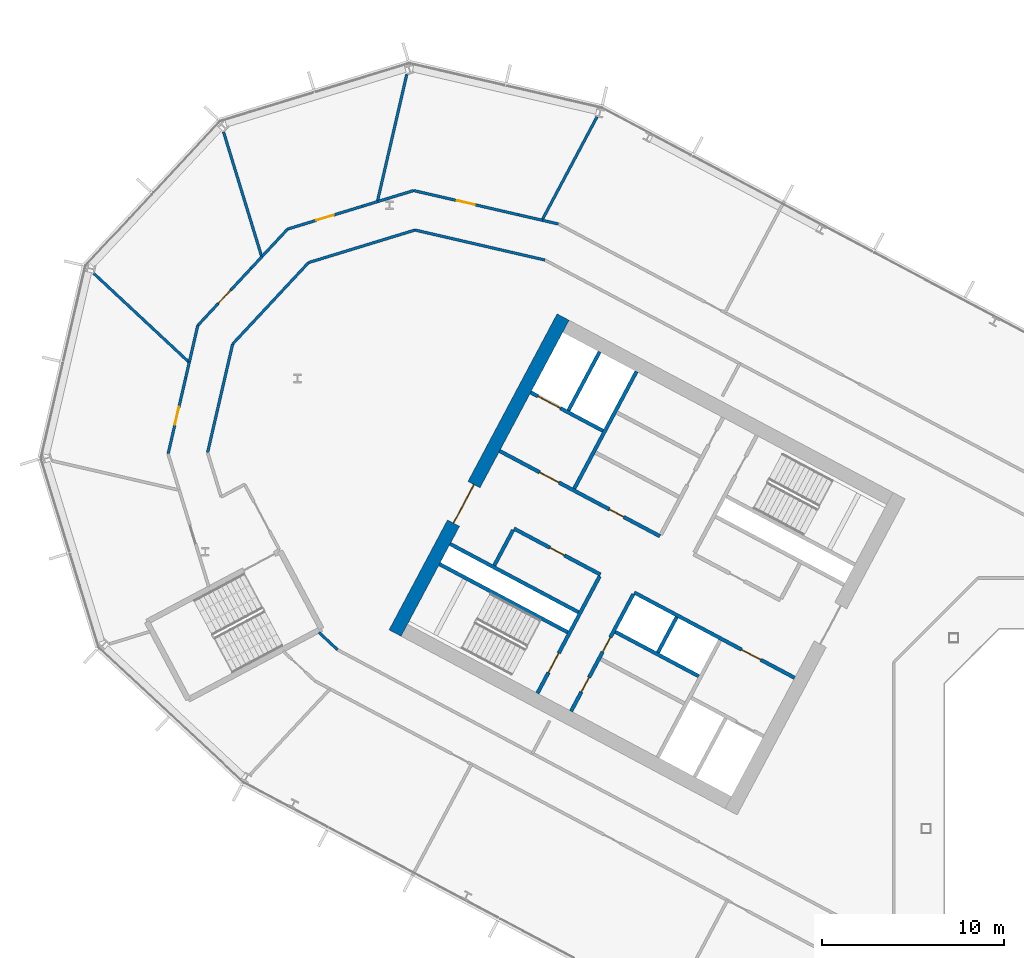
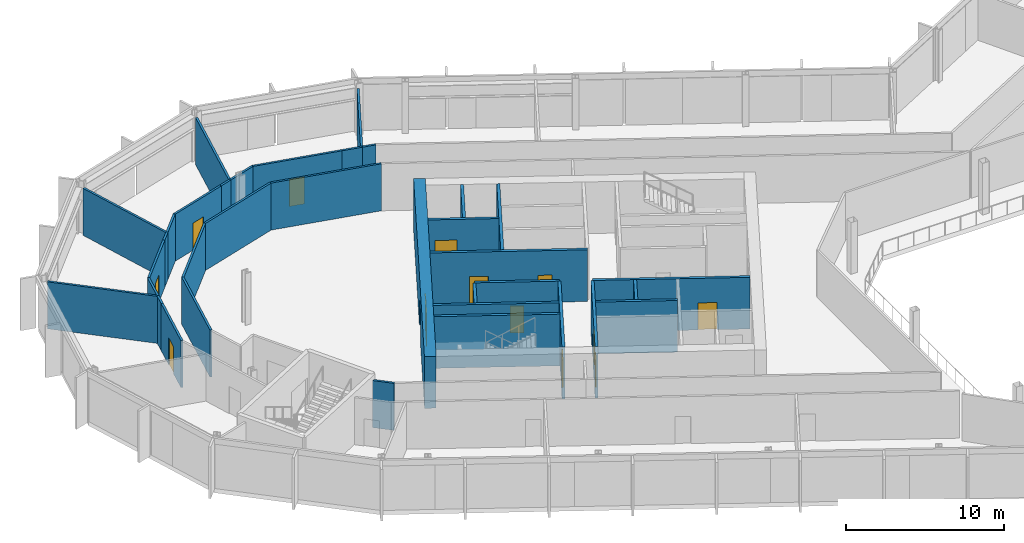
# One storey, part 14 of 28: 35 walls, 13 doors, 13 openings.
"""IFC4 building model written with IfcOpenShell, lengths in metres."""

from ifc_helpers import new_model, si_unit, direction, frame, frame_2d, origin, place, context, subcontext, project, spatial, rectangle, extrude, material, layer, layer_set, type_object, element, fill, save


model = new_model("IFC4")

# Units and contexts
model_context = context("Model", 3, precision=1e-05, world=origin(), true_north=direction((0.0, 1.0)))
body_context = subcontext(model_context, "Body", "Model", "MODEL_VIEW")
ifc_project = project(units=[si_unit("LENGTHUNIT", "METRE"), si_unit("AREAUNIT", "SQUARE_METRE"), si_unit("VOLUMEUNIT", "CUBIC_METRE"), si_unit("PLANEANGLEUNIT", "RADIAN"), si_unit("MASSUNIT", "GRAM", prefix="KILO")], contexts=[model_context])

# Site, building, storey
site_placement = place(None, origin())
site = spatial("IfcSite", under=ifc_project, at=site_placement, CompositionType="ELEMENT")
building_placement = place(site_placement, origin())
building = spatial("IfcBuilding", under=site, at=building_placement, Name="Cormorant Relay Tower", CompositionType="ELEMENT")
storey_placement = place(building_placement, frame((0.0, 0.0, 134.199951171875)))
storey = spatial("IfcBuildingStorey", under=building, at=storey_placement, Name="L27", CompositionType="ELEMENT", Elevation=134.199951171875)

# Wall
ifc_material_1 = material(Name="Concrete 40 MPa", Category="concrete")
ifc_layer_1 = layer(ifc_material_1, 0.199951171875)
ifc_layer_set_1 = layer_set([ifc_layer_1], Name="Core internal wall 200")
wall_type_1 = type_object("IfcWallType", Name="Core internal wall 200", PredefinedType="SOLIDWALL", material=ifc_layer_set_1)
wall_1_placement = place(storey_placement, frame((-25.744140625, 11.64990234375, 0.0), z_axis=(0.0, 0.0, 1.0), x_axis=(-0.469487830541, -0.882938942948, 0.0)))
element("IfcWall", 1, at=wall_1_placement, inside=storey, type_object=wall_type_1, Name="L27 core A shaft and room wall", PredefinedType="SOLIDWALL", context=body_context, shape_type="SweptSolid", body=[
    extrude(rectangle(XDim=2.2001953125, YDim=0.199951171875, at=frame_2d((1.10009765625, 0.0))), origin(), (0.0, 0.0, 1.0), 4.0),
])

# Wall, openings, doors
ifc_material_2 = material(Name="Concrete 50 MPa", Category="concrete")
ifc_layer_2 = layer(ifc_material_2, 0.199951171875)
ifc_layer_set_2 = layer_set([ifc_layer_2], Name="Core shaft wall 200")
wall_type_2 = type_object("IfcWallType", Name="Core shaft wall 200", PredefinedType="SHEAR", material=ifc_layer_set_2)
wall_2_placement = place(storey_placement, frame((-28.128173828125, 12.91748046875, 0.0), z_axis=(0.0, 0.0, 1.0), x_axis=(-0.469454336211, -0.882956752176, 0.0)))
wall_2 = element("IfcWall", 2, at=wall_2_placement, inside=storey, type_object=wall_type_2, Name="L27 core A shaft wall", PredefinedType="SHEAR", context=body_context, shape_type="SweptSolid", body=[
    extrude(rectangle(XDim=7.300048828125, YDim=0.199951171875, at=frame_2d((3.64990234375, 0.0))), origin(), (0.0, 0.0, 1.0), 4.0),
])
opening_1_placement = place(wall_2_placement, frame((2.699951171875, 0.0, 0.0)))
opening_1 = element("IfcOpeningElement", 3, at=opening_1_placement, cuts=wall_2, Name="Opening CDD-187", PredefinedType="OPENING", context=body_context, shape_type="SweptSolid", body=[
    extrude(rectangle(XDim=0.89990234375, YDim=2.10009765625, at=frame_2d((0.449951171875, 1.050048828125))), frame((0.0, 0.10986328125, 0.0), z_axis=(0.0, -1.0, 0.0), x_axis=(1.0, 0.0, 0.0)), (0.0, 0.0, 1.0), 0.219970703125),
])
opening_2_placement = place(wall_2_placement, frame((5.199951171875, 0.0, 0.0)))
opening_2 = element("IfcOpeningElement", 4, at=opening_2_placement, cuts=wall_2, Name="Opening CDD-188", PredefinedType="OPENING", context=body_context, shape_type="SweptSolid", body=[
    extrude(rectangle(XDim=0.89990234375, YDim=2.10009765625, at=frame_2d((0.449951171875, 1.050048828125))), frame((0.0, 0.10986328125, 0.0), z_axis=(0.0, -1.0, 0.0), x_axis=(1.0, 0.0, 0.0)), (0.0, 0.0, 1.0), 0.219970703125),
])
ifc_material_3 = material(Name="Steel fire door", Category="steel")
door_type_1 = type_object("IfcDoorType", Name="Core room door 900x2100", OperationType="SINGLE_SWING_LEFT", PredefinedType="DOOR", material=ifc_material_3)
door_1_placement = place(opening_1_placement, origin())
door_1 = element("IfcDoor", 5, at=door_1_placement, inside=storey, type_object=door_type_1, Name="Core room door 900x2100", OperationType="SINGLE_SWING_LEFT", OverallHeight=2.10009765625, OverallWidth=0.89990234375, PredefinedType="DOOR", context=body_context, shape_type="SweptSolid", body=[
    extrude(rectangle(XDim=0.89990234375, YDim=2.10009765625, at=frame_2d((0.449951171875, 1.050048828125))), frame((0.0, 0.02490234375, 0.0), z_axis=(0.0, -1.0, 0.0), x_axis=(1.0, 0.0, 0.0)), (0.0, 0.0, 1.0), 0.050048828125),
])
fill(opening_1, door_1)
door_2_placement = place(opening_2_placement, origin())
door_2 = element("IfcDoor", 6, at=door_2_placement, inside=storey, type_object=door_type_1, Name="Core room door 900x2100", OperationType="SINGLE_SWING_LEFT", OverallHeight=2.10009765625, OverallWidth=0.89990234375, PredefinedType="DOOR", context=body_context, shape_type="SweptSolid", body=[
    extrude(rectangle(XDim=0.89990234375, YDim=2.10009765625, at=frame_2d((0.449951171875, 1.050048828125))), frame((0.0, 0.02490234375, 0.0), z_axis=(0.0, -1.0, 0.0), x_axis=(1.0, 0.0, 0.0)), (0.0, 0.0, 1.0), 0.050048828125),
])
fill(opening_2, door_2)

# Wall, opening, door
wall_3_placement = place(storey_placement, frame((-29.982421875, 13.9033203125, 0.0), z_axis=(0.0, 0.0, 1.0), x_axis=(-0.469454336211, -0.882956752176, 0.0)))
wall_3 = element("IfcWall", 7, at=wall_3_placement, inside=storey, type_object=wall_type_2, Name="L27 core A shaft wall", PredefinedType="SHEAR", context=body_context, shape_type="SweptSolid", body=[
    extrude(rectangle(XDim=7.300048828125, YDim=0.199951171875, at=frame_2d((3.64990234375, 0.0))), origin(), (0.0, 0.0, 1.0), 4.0),
])
opening_3_placement = place(wall_3_placement, frame((4.800048828125, 0.0, 0.0)))
opening_3 = element("IfcOpeningElement", 8, at=opening_3_placement, cuts=wall_3, Name="Opening CDB-035", PredefinedType="OPENING", context=body_context, shape_type="SweptSolid", body=[
    extrude(rectangle(XDim=1.199951171875, YDim=2.10009765625, at=frame_2d((0.60009765625, 1.050048828125))), frame((0.0, 0.10986328125, 0.0), z_axis=(0.0, -1.0, 0.0), x_axis=(1.0, 0.0, 0.0)), (0.0, 0.0, 1.0), 0.219970703125),
])
ifc_material_4 = material(Name="Steel fire door", Category="steel")
door_type_2 = type_object("IfcDoorType", Name="Core stair door 1200x2100", OperationType="SINGLE_SWING_LEFT", PredefinedType="DOOR", material=ifc_material_4)
door_3_placement = place(opening_3_placement, frame((1.199951171875, 0.0, 0.0), z_axis=(0.0, 0.0, 1.0), x_axis=(-1.0, 0.0, 0.0)))
door_3 = element("IfcDoor", 9, at=door_3_placement, inside=storey, type_object=door_type_2, Name="Core stair door 1200x2100", OperationType="SINGLE_SWING_RIGHT", OverallHeight=2.10009765625, OverallWidth=1.199951171875, PredefinedType="DOOR", context=body_context, shape_type="SweptSolid", body=[
    extrude(rectangle(XDim=1.199951171875, YDim=2.10009765625, at=frame_2d((0.60009765625, 1.050048828125))), frame((0.0, 0.02490234375, 0.0), z_axis=(0.0, -1.0, 0.0), x_axis=(1.0, 0.0, 0.0)), (0.0, 0.0, 1.0), 0.050048828125),
])
fill(opening_3, door_3)

# Walls
wall_4_placement = place(storey_placement, frame((-27.955322265625, 25.170654296875, 0.0), z_axis=(0.0, 0.0, 1.0), x_axis=(-0.469480409012, -0.88294288918, 0.0)))
element("IfcWall", 10, at=wall_4_placement, inside=storey, type_object=wall_type_2, Name="L27 core A shaft wall", PredefinedType="SHEAR", context=body_context, shape_type="SweptSolid", body=[
    extrude(rectangle(XDim=7.300048828125, YDim=0.199951171875, at=frame_2d((3.64990234375, 0.0))), origin(), (0.0, 0.0, 1.0), 4.0),
])
wall_5_placement = place(storey_placement, frame((-34.750244140625, 16.4384765625, 0.0), z_axis=(0.0, 0.0, 1.0), x_axis=(-0.469401318492, -0.882984938828, 0.0)))
element("IfcWall", 11, at=wall_5_placement, inside=storey, type_object=wall_type_2, Name="L27 core A shaft wall", PredefinedType="SHEAR", context=body_context, shape_type="SweptSolid", body=[
    extrude(rectangle(XDim=2.199951171875, YDim=0.199951171875, at=frame_2d((1.10009765625, 0.0))), origin(), (0.0, 0.0, 1.0), 4.0),
])
wall_6_placement = place(storey_placement, frame((-29.986083984375, 26.250244140625, 0.0), z_axis=(0.0, 0.0, 1.0), x_axis=(-0.469494272526, -0.882935517501, 0.0)))
element("IfcWall", 12, at=wall_6_placement, inside=storey, type_object=wall_type_2, Name="L27 core A shaft wall", PredefinedType="SHEAR", context=body_context, shape_type="SweptSolid", body=[
    extrude(rectangle(XDim=3.64990234375, YDim=0.199951171875, at=frame_2d((1.824951171875, 0.0))), origin(), (0.0, 0.0, 1.0), 4.0),
])

# Wall, opening, door
wall_7_placement = place(storey_placement, frame((-29.80419921875, 21.906494140625, 0.0), z_axis=(0.0, 0.0, 1.0), x_axis=(-0.882960433586, 0.469447412093, 0.0)))
wall_7 = element("IfcWall", 13, at=wall_7_placement, inside=storey, type_object=wall_type_2, Name="L27 core A shaft wall", PredefinedType="SHEAR", context=body_context, shape_type="SweptSolid", body=[
    extrude(rectangle(XDim=4.5, YDim=0.199951171875, at=frame_2d((2.25, 0.0))), origin(), (0.0, 0.0, 1.0), 4.0),
])
opening_4_placement = place(wall_7_placement, frame((2.64990234375, 0.0, 0.0)))
opening_4 = element("IfcOpeningElement", 14, at=opening_4_placement, cuts=wall_7, Name="Opening LD3-013", PredefinedType="OPENING", context=body_context, shape_type="SweptSolid", body=[
    extrude(rectangle(XDim=1.39990234375, YDim=2.39990234375, at=frame_2d((0.699951171875, 1.199951171875))), frame((0.0, 0.10986328125, 0.0), z_axis=(0.0, -1.0, 0.0), x_axis=(1.0, 0.0, 0.0)), (0.0, 0.0, 1.0), 0.219970703125),
])
ifc_material_5 = material(Name="Stainless steel 316", Category="steel")
door_type_3 = type_object("IfcDoorType", Name="Lift landing door 1400x2400", OperationType="DOUBLE_DOOR_SLIDING", PredefinedType="DOOR", material=ifc_material_5)
door_4_placement = place(opening_4_placement, origin())
door_4 = element("IfcDoor", 15, at=door_4_placement, inside=storey, type_object=door_type_3, Name="SV1 landing door", OperationType="DOUBLE_DOOR_SLIDING", OverallHeight=2.39990234375, OverallWidth=1.39990234375, PredefinedType="DOOR", context=body_context, shape_type="SweptSolid", body=[
    extrude(rectangle(XDim=1.39990234375, YDim=2.39990234375, at=frame_2d((0.699951171875, 1.199951171875))), frame((0.0, 0.02490234375, 0.0), z_axis=(0.0, -1.0, 0.0), x_axis=(1.0, 0.0, 0.0)), (0.0, 0.0, 1.0), 0.050048828125),
])
fill(opening_4, door_4)

# Wall, openings, doors
wall_8_placement = place(storey_placement, frame((-26.66162109375, 16.1015625, 0.0), z_axis=(0.0, 0.0, 1.0), x_axis=(-0.882940221191, 0.469485426614, 0.0)))
wall_8 = element("IfcWall", 16, at=wall_8_placement, inside=storey, type_object=wall_type_2, Name="L27 core A shaft wall", PredefinedType="SHEAR", context=body_context, shape_type="SweptSolid", body=[
    extrude(rectangle(XDim=10.0, YDim=0.199951171875, at=frame_2d((5.0, 0.0))), origin(), (0.0, 0.0, 1.0), 4.0),
])
opening_5_placement = place(wall_8_placement, frame((6.300048828125, 0.0, 0.0)))
opening_5 = element("IfcOpeningElement", 17, at=opening_5_placement, cuts=wall_8, Name="Opening CDC-029", PredefinedType="OPENING", context=body_context, shape_type="SweptSolid", body=[
    extrude(rectangle(XDim=1.199951171875, YDim=2.10009765625, at=frame_2d((0.60009765625, 1.050048828125))), frame((0.0, 0.10986328125, 0.0), z_axis=(0.0, -1.0, 0.0), x_axis=(1.0, 0.0, 0.0)), (0.0, 0.0, 1.0), 0.219970703125),
])
opening_6_placement = place(wall_8_placement, frame((2.25, 0.0, 0.0)))
opening_6 = element("IfcOpeningElement", 18, at=opening_6_placement, cuts=wall_8, Name="Opening CDD-186", PredefinedType="OPENING", context=body_context, shape_type="SweptSolid", body=[
    extrude(rectangle(XDim=0.89990234375, YDim=2.10009765625, at=frame_2d((0.449951171875, 1.050048828125))), frame((0.0, 0.10986328125, 0.0), z_axis=(0.0, -1.0, 0.0), x_axis=(1.0, 0.0, 0.0)), (0.0, 0.0, 1.0), 0.219970703125),
])
ifc_material_6 = material(Name="Steel fire door", Category="steel")
door_type_4 = type_object("IfcDoorType", Name="Core lobby door 1200x2100", OperationType="SINGLE_SWING_LEFT", PredefinedType="DOOR", material=ifc_material_6)
door_5_placement = place(opening_5_placement, frame((1.199951171875, 0.0, 0.0), z_axis=(0.0, 0.0, 1.0), x_axis=(-1.0, 0.0, 0.0)))
door_5 = element("IfcDoor", 19, at=door_5_placement, inside=storey, type_object=door_type_4, Name="Core lobby door 1200x2100", OperationType="SINGLE_SWING_RIGHT", OverallHeight=2.10009765625, OverallWidth=1.199951171875, PredefinedType="DOOR", context=body_context, shape_type="SweptSolid", body=[
    extrude(rectangle(XDim=1.199951171875, YDim=2.10009765625, at=frame_2d((0.60009765625, 1.050048828125))), frame((0.0, 0.02490234375, 0.0), z_axis=(0.0, -1.0, 0.0), x_axis=(1.0, 0.0, 0.0)), (0.0, 0.0, 1.0), 0.050048828125),
])
fill(opening_5, door_5)
door_6_placement = place(opening_6_placement, frame((0.89990234375, 0.0, 0.0), z_axis=(0.0, 0.0, 1.0), x_axis=(-1.0, 0.0, 0.0)))
door_6 = element("IfcDoor", 20, at=door_6_placement, inside=storey, type_object=door_type_1, Name="Core room door 900x2100", OperationType="SINGLE_SWING_RIGHT", OverallHeight=2.10009765625, OverallWidth=0.89990234375, PredefinedType="DOOR", context=body_context, shape_type="SweptSolid", body=[
    extrude(rectangle(XDim=0.89990234375, YDim=2.10009765625, at=frame_2d((0.449951171875, 1.050048828125))), frame((0.0, 0.02490234375, 0.0), z_axis=(0.0, -1.0, 0.0), x_axis=(1.0, 0.0, 0.0)), (0.0, 0.0, 1.0), 0.050048828125),
])
fill(opening_6, door_6)

# Wall, opening, door
wall_9_placement = place(storey_placement, frame((-19.251708984375, 8.31103515625, 0.0), z_axis=(0.0, 0.0, 1.0), x_axis=(-0.882955722218, 0.469456273365, 0.0)))
wall_9 = element("IfcWall", 21, at=wall_9_placement, inside=storey, type_object=wall_type_2, Name="L27 core A shaft wall", PredefinedType="SHEAR", context=body_context, shape_type="SweptSolid", body=[
    extrude(rectangle(XDim=10.0, YDim=0.199951171875, at=frame_2d((5.0, 0.0))), origin(), (0.0, 0.0, 1.0), 4.0),
])
opening_7_placement = place(wall_9_placement, frame((2.10009765625, 0.0, 0.0)))
opening_7 = element("IfcOpeningElement", 22, at=opening_7_placement, cuts=wall_9, Name="Opening CDC-025", PredefinedType="OPENING", context=body_context, shape_type="SweptSolid", body=[
    extrude(rectangle(XDim=1.199951171875, YDim=2.10009765625, at=frame_2d((0.60009765625, 1.050048828125))), frame((0.0, 0.10986328125, 0.0), z_axis=(0.0, -1.0, 0.0), x_axis=(1.0, 0.0, 0.0)), (0.0, 0.0, 1.0), 0.219970703125),
])
door_7_placement = place(opening_7_placement, origin())
door_7 = element("IfcDoor", 23, at=door_7_placement, inside=storey, type_object=door_type_4, Name="Core lobby door 1200x2100", OperationType="SINGLE_SWING_RIGHT", OverallHeight=2.10009765625, OverallWidth=1.199951171875, PredefinedType="DOOR", context=body_context, shape_type="SweptSolid", body=[
    extrude(rectangle(XDim=1.199951171875, YDim=2.10009765625, at=frame_2d((0.60009765625, 1.050048828125))), frame((0.0, 0.02490234375, 0.0), z_axis=(0.0, -1.0, 0.0), x_axis=(1.0, 0.0, 0.0)), (0.0, 0.0, 1.0), 0.050048828125),
])
fill(opening_7, door_7)

wall_10_placement = place(storey_placement, frame((-29.935302734375, 13.991455078125, 0.0), z_axis=(0.0, 0.0, 1.0), x_axis=(-0.882952937579, 0.469461510692, 0.0)))
wall_10 = element("IfcWall", 24, at=wall_10_placement, inside=storey, type_object=wall_type_2, Name="L27 core A shaft wall", PredefinedType="SHEAR", context=body_context, shape_type="SweptSolid", body=[
    extrude(rectangle(XDim=5.400146484375, YDim=0.199951171875, at=frame_2d((2.7001953125, 0.0))), origin(), (0.0, 0.0, 1.0), 4.0),
])
opening_8_placement = place(wall_10_placement, frame((2.25, 0.0, 0.0)))
opening_8 = element("IfcOpeningElement", 25, at=opening_8_placement, cuts=wall_10, Name="Opening CDD-184", PredefinedType="OPENING", context=body_context, shape_type="SweptSolid", body=[
    extrude(rectangle(XDim=0.89990234375, YDim=2.10009765625, at=frame_2d((0.449951171875, 1.050048828125))), frame((0.0, 0.10986328125, 0.0), z_axis=(0.0, -1.0, 0.0), x_axis=(1.0, 0.0, 0.0)), (0.0, 0.0, 1.0), 0.219970703125),
])
door_8_placement = place(opening_8_placement, origin())
door_8 = element("IfcDoor", 26, at=door_8_placement, inside=storey, type_object=door_type_1, Name="Core room door 900x2100", OperationType="SINGLE_SWING_LEFT", OverallHeight=2.10009765625, OverallWidth=0.89990234375, PredefinedType="DOOR", context=body_context, shape_type="SweptSolid", body=[
    extrude(rectangle(XDim=0.89990234375, YDim=2.10009765625, at=frame_2d((0.449951171875, 1.050048828125))), frame((0.0, 0.02490234375, 0.0), z_axis=(0.0, -1.0, 0.0), x_axis=(1.0, 0.0, 0.0)), (0.0, 0.0, 1.0), 0.050048828125),
])
fill(opening_8, door_8)

# Walls
wall_11_placement = place(storey_placement, frame((-24.5283203125, 8.3984375, 0.0), z_axis=(0.0, 0.0, 1.0), x_axis=(-0.882953967957, 0.469459572775, 0.0)))
element("IfcWall", 27, at=wall_11_placement, inside=storey, type_object=wall_type_2, Name="L27 core A shaft wall", PredefinedType="SHEAR", context=body_context, shape_type="SweptSolid", body=[
    extrude(rectangle(XDim=5.199951171875, YDim=0.199951171875, at=frame_2d((2.60009765625, 0.0))), origin(), (0.0, 0.0, 1.0), 4.0),
])
for number, where, z_axis, x_axis, name in (
    (28, (-31.150390625, 11.91943359375, 0.0), (0.0, 0.0, 1.0), (-0.882940221191, 0.469485426614, 0.0), "L27 core A shaft wall"),
    (29, (-31.7373046875, 10.815673828125, 0.0), (0.0, 0.0, 1.0), (-0.882940221191, 0.469485426614, 0.0), "L27 core A shaft wall"),
):
    element("IfcWall", number, at=place(storey_placement, frame(where, z_axis=z_axis, x_axis=x_axis)), inside=storey, type_object=wall_type_2, Name=name, PredefinedType="SHEAR", context=body_context, shape_type="SweptSolid", body=[
        extrude(rectangle(XDim=8.0, YDim=0.199951171875, at=frame_2d((4.0, 0.0))), origin(), (0.0, 0.0, 1.0), 4.0),
    ])

# Wall, opening, door
ifc_material_7 = material(Name="Concrete 60 MPa", Category="concrete")
ifc_layer_3 = layer(ifc_material_7, 0.75)
ifc_layer_set_3 = layer_set([ifc_layer_3], Name="Core wall 750")
wall_type_3 = type_object("IfcWallType", Name="Core wall 750", PredefinedType="SHEAR", material=ifc_layer_set_3)
wall_12_placement = place(storey_placement, frame((-31.995849609375, 28.16845703125, 0.0), z_axis=(0.0, 0.0, 1.0), x_axis=(-0.469479580143, -0.882943329908, 0.0)))
wall_12 = element("IfcWall", 30, at=wall_12_placement, inside=storey, type_object=wall_type_3, Name="L27 core A wall", PredefinedType="SHEAR", context=body_context, shape_type="SweptSolid", body=[
    extrude(rectangle(XDim=19.699951171875, YDim=0.75, at=frame_2d((9.85009765625, 0.0))), origin(), (0.0, 0.0, 1.0), 4.0),
])
opening_9_placement = place(wall_12_placement, frame((10.449951171875, 0.0, 0.0)))
opening_9 = element("IfcOpeningElement", 31, at=opening_9_placement, cuts=wall_12, Name="Opening CDA-027", PredefinedType="OPENING", context=body_context, shape_type="SweptSolid", body=[
    extrude(rectangle(XDim=2.39990234375, YDim=2.39990234375, at=frame_2d((1.199951171875, 1.199951171875))), frame((0.0, 0.385009765625, 0.0), z_axis=(0.0, -1.0, 0.0), x_axis=(1.0, 0.0, 0.0)), (0.0, 0.0, 1.0), 0.77001953125),
])
ifc_material_8 = material(Name="Steel fire door", Category="steel")
door_type_5 = type_object("IfcDoorType", Name="Core lobby door 2400x2400", OperationType="DOUBLE_DOOR_SINGLE_SWING", PredefinedType="DOOR", material=ifc_material_8)
door_9_placement = place(opening_9_placement, origin())
door_9 = element("IfcDoor", 32, at=door_9_placement, inside=storey, type_object=door_type_5, Name="Core lobby door 2400x2400", OperationType="DOUBLE_DOOR_SINGLE_SWING", OverallHeight=2.39990234375, OverallWidth=2.39990234375, PredefinedType="DOOR", context=body_context, shape_type="SweptSolid", body=[
    extrude(rectangle(XDim=2.39990234375, YDim=2.39990234375, at=frame_2d((1.199951171875, 1.199951171875))), frame((0.0, 0.02490234375, 0.0), z_axis=(0.0, -1.0, 0.0), x_axis=(1.0, 0.0, 0.0)), (0.0, 0.0, 1.0), 0.050048828125),
])
fill(opening_9, door_9)

ifc_material_9 = material(Name="Gypsum board fire partition")
ifc_layer_4 = layer(ifc_material_9, 0.14990234375)
ifc_layer_set_4 = layer_set([ifc_layer_4], Name="Corridor partition 150 EI 60")
wall_type_4 = type_object("IfcWallType", Name="Corridor partition 150 EI 60", PredefinedType="PARTITIONING", material=ifc_layer_set_4)
wall_13_placement = place(storey_placement, frame((-52.76904296875, 24.825927734375, 0.0), z_axis=(0.0, 0.0, 1.0), x_axis=(-0.224938307653, -0.974373007503, 0.0)))
wall_13 = element("IfcWall", 33, at=wall_13_placement, inside=storey, type_object=wall_type_4, Name="wall/L27/part/004", PredefinedType="PARTITIONING", context=body_context, shape_type="SweptSolid", body=[
    extrude(rectangle(XDim=4.299072265625, YDim=0.14990234375, at=frame_2d((2.1494140625, 0.0))), origin(), (0.0, 0.0, 1.0), 3.64013671875),
])
opening_10_placement = place(wall_13_placement, frame((1.64990234375, 0.0, 0.0)))
opening_10 = element("IfcOpeningElement", 34, at=opening_10_placement, cuts=wall_13, Name="Opening DS-028", PredefinedType="OPENING", context=body_context, shape_type="SweptSolid", body=[
    extrude(rectangle(XDim=1.0, YDim=2.10009765625, at=frame_2d((0.5, 1.050048828125))), frame((0.0, 0.0849609375, 0.0), z_axis=(0.0, -1.0, 0.0), x_axis=(1.0, 0.0, 0.0)), (0.0, 0.0, 1.0), 0.169921875),
])
ifc_material_10 = material(Name="Timber door leaf", Category="wood")
door_type_6 = type_object("IfcDoorType", Name="Suite door 1000x2100", OperationType="SINGLE_SWING_LEFT", PredefinedType="DOOR", material=ifc_material_10)
door_10_placement = place(opening_10_placement, frame((1.0, 0.0, 0.0), z_axis=(0.0, 0.0, 1.0), x_axis=(-1.0, 0.0, 0.0)))
door_10 = element("IfcDoor", 35, at=door_10_placement, inside=storey, type_object=door_type_6, Name="door/L27/015", OperationType="SINGLE_SWING_RIGHT", OverallHeight=2.10009765625, OverallWidth=1.0, PredefinedType="DOOR", context=body_context, shape_type="SweptSolid", body=[
    extrude(rectangle(XDim=1.0, YDim=2.10009765625, at=frame_2d((0.5, 1.050048828125))), frame((0.0, 0.02490234375, 0.0), z_axis=(0.0, -1.0, 0.0), x_axis=(1.0, 0.0, 0.0)), (0.0, 0.0, 1.0), 0.050048828125),
])
fill(opening_10, door_10)

# Walls
wall_14_placement = place(storey_placement, frame((-52.76904296875, 24.825927734375, 0.0), z_axis=(0.0, 0.0, 1.0), x_axis=(0.224999270749, 0.974358931894, 0.0)))
element("IfcWall", 36, at=wall_14_placement, inside=storey, type_object=wall_type_4, Name="wall/L27/part/007", PredefinedType="PARTITIONING", context=body_context, shape_type="SweptSolid", body=[
    extrude(rectangle(XDim=0.89306640625, YDim=0.14990234375, at=frame_2d((0.446533203125, 0.0))), origin(), (0.0, 0.0, 1.0), 3.64013671875),
])
wall_15_placement = place(storey_placement, frame((-52.10400390625, 27.705078125, 0.0), z_axis=(0.0, 0.0, 1.0), x_axis=(-0.225084333606, -0.974339285242, 0.0)))
element("IfcWall", 37, at=wall_15_placement, inside=storey, type_object=wall_type_4, Name="wall/L27/part/008", PredefinedType="PARTITIONING", context=body_context, shape_type="SweptSolid", body=[
    extrude(rectangle(XDim=2.06201171875, YDim=0.14990234375, at=frame_2d((1.031005859375, 0.0))), origin(), (0.0, 0.0, 1.0), 3.64013671875),
])

# Wall, opening, door
wall_16_placement = place(storey_placement, frame((-52.10400390625, 27.7041015625, 0.0), z_axis=(0.0, 0.0, 1.0), x_axis=(0.681907306721, 0.731438599638, 0.0)))
wall_16 = element("IfcWall", 38, at=wall_16_placement, inside=storey, type_object=wall_type_4, Name="wall/L27/part/009", PredefinedType="PARTITIONING", context=body_context, shape_type="SweptSolid", body=[
    extrude(rectangle(XDim=4.298095703125, YDim=0.14990234375, at=frame_2d((2.14892578125, 0.0))), origin(), (0.0, 0.0, 1.0), 3.64013671875),
])
opening_11_placement = place(wall_16_placement, frame((1.64990234375, 0.0, 0.0)))
opening_11 = element("IfcOpeningElement", 39, at=opening_11_placement, cuts=wall_16, Name="Opening DS-027", PredefinedType="OPENING", context=body_context, shape_type="SweptSolid", body=[
    extrude(rectangle(XDim=1.0, YDim=2.10009765625, at=frame_2d((0.5, 1.050048828125))), frame((0.0, 0.0849609375, 0.0), z_axis=(0.0, -1.0, 0.0), x_axis=(1.0, 0.0, 0.0)), (0.0, 0.0, 1.0), 0.169921875),
])
door_11_placement = place(opening_11_placement, origin())
door_11 = element("IfcDoor", 40, at=door_11_placement, inside=storey, type_object=door_type_6, Name="door/L27/014", OperationType="SINGLE_SWING_RIGHT", OverallHeight=2.10009765625, OverallWidth=1.0, PredefinedType="DOOR", context=body_context, shape_type="SweptSolid", body=[
    extrude(rectangle(XDim=1.0, YDim=2.10009765625, at=frame_2d((0.5, 1.050048828125))), frame((0.0, 0.02490234375, 0.0), z_axis=(0.0, -1.0, 0.0), x_axis=(1.0, 0.0, 0.0)), (0.0, 0.0, 1.0), 0.050048828125),
])
fill(opening_11, door_11)

# Wall
wall_17_placement = place(storey_placement, frame((-49.173095703125, 30.847900390625, 0.0), z_axis=(0.0, 0.0, 1.0), x_axis=(0.681529523193, 0.73179061829, 0.0)))
element("IfcWall", 41, at=wall_17_placement, inside=storey, type_object=wall_type_4, Name="wall/L27/part/013", PredefinedType="PARTITIONING", context=body_context, shape_type="SweptSolid", body=[
    extrude(rectangle(XDim=0.893798828125, YDim=0.14990234375, at=frame_2d((0.44677734375, 0.0))), origin(), (0.0, 0.0, 1.0), 3.64013671875),
])

# Wall, opening, door
wall_18_placement = place(storey_placement, frame((-43.047119140625, 34.26611328125, 0.0), z_axis=(0.0, 0.0, 1.0), x_axis=(-0.95628717933, -0.292429189118, 0.0)))
wall_18 = element("IfcWall", 42, at=wall_18_placement, inside=storey, type_object=wall_type_4, Name="wall/L27/part/014", PredefinedType="PARTITIONING", context=body_context, shape_type="SweptSolid", body=[
    extrude(rectangle(XDim=4.298828125, YDim=0.14990234375, at=frame_2d((2.1494140625, 0.0))), origin(), (0.0, 0.0, 1.0), 3.64013671875),
])
opening_12_placement = place(wall_18_placement, frame((1.64990234375, 0.0, 0.0)))
opening_12 = element("IfcOpeningElement", 43, at=opening_12_placement, cuts=wall_18, Name="Opening DS-026", PredefinedType="OPENING", context=body_context, shape_type="SweptSolid", body=[
    extrude(rectangle(XDim=1.0, YDim=2.10009765625, at=frame_2d((0.5, 1.050048828125))), frame((0.0, 0.0849609375, 0.0), z_axis=(0.0, -1.0, 0.0), x_axis=(1.0, 0.0, 0.0)), (0.0, 0.0, 1.0), 0.169921875),
])
door_12_placement = place(opening_12_placement, frame((1.0, 0.0, 0.0), z_axis=(0.0, 0.0, 1.0), x_axis=(-1.0, 0.0, 0.0)))
door_12 = element("IfcDoor", 44, at=door_12_placement, inside=storey, type_object=door_type_6, Name="door/L27/013", OperationType="SINGLE_SWING_RIGHT", OverallHeight=2.10009765625, OverallWidth=1.0, PredefinedType="DOOR", context=body_context, shape_type="SweptSolid", body=[
    extrude(rectangle(XDim=1.0, YDim=2.10009765625, at=frame_2d((0.5, 1.050048828125))), frame((0.0, 0.02490234375, 0.0), z_axis=(0.0, -1.0, 0.0), x_axis=(1.0, 0.0, 0.0)), (0.0, 0.0, 1.0), 0.050048828125),
])
fill(opening_12, door_12)

# Walls
wall_19_placement = place(storey_placement, frame((-47.157958984375, 33.009033203125, 0.0), z_axis=(0.0, 0.0, 1.0), x_axis=(-0.682162081417, -0.731200994719, 0.0)))
element("IfcWall", 45, at=wall_19_placement, inside=storey, type_object=wall_type_4, Name="wall/L27/part/015", PredefinedType="PARTITIONING", context=body_context, shape_type="SweptSolid", body=[
    extrude(rectangle(XDim=2.06103515625, YDim=0.14990234375, at=frame_2d((1.030517578125, 0.0))), origin(), (0.0, 0.0, 1.0), 3.64013671875),
])
wall_20_placement = place(storey_placement, frame((-51.56298828125, 20.712890625, 0.0), z_axis=(0.0, 0.0, 1.0), x_axis=(0.224853687454, 0.974392538579, 0.0)))
element("IfcWall", 46, at=wall_20_placement, inside=storey, type_object=wall_type_4, Name="wall/L27/part/019", PredefinedType="PARTITIONING", context=body_context, shape_type="SweptSolid", body=[
    extrude(rectangle(XDim=6.128173828125, YDim=0.14990234375, at=frame_2d((3.06396484375, 0.0))), origin(), (0.0, 0.0, 1.0), 3.64013671875),
])
wall_21_placement = place(storey_placement, frame((-50.18505859375, 26.68408203125, 0.0), z_axis=(0.0, 0.0, 1.0), x_axis=(0.682032845108, 0.731321542274, 0.0)))
element("IfcWall", 47, at=wall_21_placement, inside=storey, type_object=wall_type_4, Name="wall/L27/part/020", PredefinedType="PARTITIONING", context=body_context, shape_type="SweptSolid", body=[
    extrude(rectangle(XDim=6.127197265625, YDim=0.14990234375, at=frame_2d((3.0634765625, 0.0))), origin(), (0.0, 0.0, 1.0), 3.64013671875),
])
wall_22_placement = place(storey_placement, frame((-46.006103515625, 31.1650390625, 0.0), z_axis=(0.0, 0.0, 1.0), x_axis=(0.95628752803, 0.292428048816, 0.0)))
element("IfcWall", 48, at=wall_22_placement, inside=storey, type_object=wall_type_4, Name="wall/L27/part/021", PredefinedType="PARTITIONING", context=body_context, shape_type="SweptSolid", body=[
    extrude(rectangle(XDim=6.1279296875, YDim=0.14990234375, at=frame_2d((3.06396484375, 0.0))), origin(), (0.0, 0.0, 1.0), 3.64013671875),
])
wall_23_placement = place(storey_placement, frame((-40.14599609375, 32.95703125, 0.0), z_axis=(0.0, 0.0, 1.0), x_axis=(0.974359206281, -0.224998082516, 0.0)))
element("IfcWall", 49, at=wall_23_placement, inside=storey, type_object=wall_type_4, Name="wall/L27/part/022", PredefinedType="PARTITIONING", context=body_context, shape_type="SweptSolid", body=[
    extrude(rectangle(XDim=7.333984375, YDim=0.14990234375, at=frame_2d((3.6669921875, 0.0))), origin(), (0.0, 0.0, 1.0), 3.64013671875),
])
wall_24_placement = place(storey_placement, frame((-44.407958984375, 9.85107421875, 0.0), z_axis=(0.0, 0.0, 1.0), x_axis=(-0.730813748843, 0.682576929366, 0.0)))
element("IfcWall", 50, at=wall_24_placement, inside=storey, type_object=wall_type_4, Name="wall/L27/part/026", PredefinedType="PARTITIONING", context=body_context, shape_type="SweptSolid", body=[
    extrude(rectangle(XDim=1.412109375, YDim=0.14990234375, at=frame_2d((0.7060546875, 0.0))), origin(), (0.0, 0.0, 1.0), 3.64013671875),
])
wall_25_placement = place(storey_placement, frame((-43.047119140625, 34.26611328125, 0.0), z_axis=(0.0, 0.0, 1.0), x_axis=(0.956338836107, 0.292260210348, 0.0)))
element("IfcWall", 51, at=wall_25_placement, inside=storey, type_object=wall_type_4, Name="wall/L27/part/029", PredefinedType="PARTITIONING", context=body_context, shape_type="SweptSolid", body=[
    extrude(rectangle(XDim=0.89306640625, YDim=0.14990234375, at=frame_2d((0.446533203125, 0.0))), origin(), (0.0, 0.0, 1.0), 3.64013671875),
])
wall_26_placement = place(storey_placement, frame((-40.220947265625, 35.1298828125, 0.0), z_axis=(0.0, 0.0, 1.0), x_axis=(-0.956327673293, -0.292296735004, 0.0)))
element("IfcWall", 52, at=wall_26_placement, inside=storey, type_object=wall_type_4, Name="wall/L27/part/031", PredefinedType="PARTITIONING", context=body_context, shape_type="SweptSolid", body=[
    extrude(rectangle(XDim=2.062255859375, YDim=0.14990234375, at=frame_2d((1.03125, 0.0))), origin(), (0.0, 0.0, 1.0), 3.64013671875),
])

# Wall, opening, door
wall_27_placement = place(storey_placement, frame((-40.221923828125, 35.1298828125, 0.0), z_axis=(0.0, 0.0, 1.0), x_axis=(0.974339831562, -0.225081968694, 0.0)))
wall_27 = element("IfcWall", 53, at=wall_27_placement, inside=storey, type_object=wall_type_4, Name="wall/L27/part/032", PredefinedType="PARTITIONING", context=body_context, shape_type="SweptSolid", body=[
    extrude(rectangle(XDim=5.930908203125, YDim=0.14990234375, at=frame_2d((2.96533203125, 0.0))), origin(), (0.0, 0.0, 1.0), 3.64013671875),
])
opening_13_placement = place(wall_27_placement, frame((2.449951171875, 0.0, 0.0)))
opening_13 = element("IfcOpeningElement", 54, at=opening_13_placement, cuts=wall_27, Name="Opening DS-025", PredefinedType="OPENING", context=body_context, shape_type="SweptSolid", body=[
    extrude(rectangle(XDim=1.0, YDim=2.10009765625, at=frame_2d((0.5, 1.050048828125))), frame((0.0, 0.0849609375, 0.0), z_axis=(0.0, -1.0, 0.0), x_axis=(1.0, 0.0, 0.0)), (0.0, 0.0, 1.0), 0.169921875),
])
door_13_placement = place(opening_13_placement, origin())
door_13 = element("IfcDoor", 55, at=door_13_placement, inside=storey, type_object=door_type_6, Name="door/L27/012", OperationType="SINGLE_SWING_RIGHT", OverallHeight=2.10009765625, OverallWidth=1.0, PredefinedType="DOOR", context=body_context, shape_type="SweptSolid", body=[
    extrude(rectangle(XDim=1.0, YDim=2.10009765625, at=frame_2d((0.5, 1.050048828125))), frame((0.0, 0.02490234375, 0.0), z_axis=(0.0, -1.0, 0.0), x_axis=(1.0, 0.0, 0.0)), (0.0, 0.0, 1.0), 0.050048828125),
])
fill(opening_13, door_13)

# Walls
wall_28_placement = place(storey_placement, frame((-34.443115234375, 33.794921875, 0.0), z_axis=(0.0, 0.0, 1.0), x_axis=(0.97454926733, -0.224173427388, 0.0)))
element("IfcWall", 56, at=wall_28_placement, inside=storey, type_object=wall_type_4, Name="wall/L27/part/034", PredefinedType="PARTITIONING", context=body_context, shape_type="SweptSolid", body=[
    extrude(rectangle(XDim=1.3515625, YDim=0.14990234375, at=frame_2d((0.67578125, 0.0))), origin(), (0.0, 0.0, 1.0), 3.64013671875),
])
wall_29_placement = place(storey_placement, frame((-32.258056640625, 33.291015625, 0.0), z_axis=(0.0, 0.0, 1.0), x_axis=(-0.974233920413, 0.225539948383, 0.0)))
element("IfcWall", 57, at=wall_29_placement, inside=storey, type_object=wall_type_4, Name="wall/L27/part/038", PredefinedType="PARTITIONING", context=body_context, shape_type="SweptSolid", body=[
    extrude(rectangle(XDim=0.890869140625, YDim=0.14990234375, at=frame_2d((0.4453125, 0.0))), origin(), (0.0, 0.0, 1.0), 3.64013671875),
])
ifc_material_11 = material(Name="Gypsum board partition")
ifc_layer_5 = layer(ifc_material_11, 0.14990234375)
ifc_layer_set_5 = layer_set([ifc_layer_5], Name="Tenant partition 150")
wall_type_5 = type_object("IfcWallType", Name="Tenant partition 150", PredefinedType="PARTITIONING", material=ifc_layer_set_5)
wall_30_placement = place(storey_placement, frame((-57.841064453125, 30.580078125, 0.0), z_axis=(0.0, 0.0, 1.0), x_axis=(0.73138888014, -0.681960633767, 0.0)))
element("IfcWall", 58, at=wall_30_placement, inside=storey, type_object=wall_type_5, Name="wall/L27/part/002", PredefinedType="PARTITIONING", context=body_context, shape_type="SweptSolid", body=[
    extrude(rectangle(XDim=7.201416015625, YDim=0.14990234375, at=frame_2d((3.6005859375, 0.0))), origin(), (0.0, 0.0, 1.0), 3.64013671875),
])
wall_31_placement = place(storey_placement, frame((-50.68798828125, 38.365966796875, 0.0), z_axis=(0.0, 0.0, 1.0), x_axis=(0.292536448014, -0.956254373367, 0.0)))
element("IfcWall", 59, at=wall_31_placement, inside=storey, type_object=wall_type_5, Name="wall/L27/part/010", PredefinedType="PARTITIONING", context=body_context, shape_type="SweptSolid", body=[
    extrude(rectangle(XDim=7.198974609375, YDim=0.14990234375, at=frame_2d((3.599609375, 0.0))), origin(), (0.0, 0.0, 1.0), 3.64013671875),
])
wall_32_placement = place(storey_placement, frame((-40.59912109375, 41.533935546875, 0.0), z_axis=(0.0, 0.0, 1.0), x_axis=(-0.224998195806, -0.97435918012, 0.0)))
element("IfcWall", 60, at=wall_32_placement, inside=storey, type_object=wall_type_5, Name="wall/L27/part/030", PredefinedType="PARTITIONING", context=body_context, shape_type="SweptSolid", body=[
    extrude(rectangle(XDim=7.199462890625, YDim=0.14990234375, at=frame_2d((3.599609375, 0.0))), origin(), (0.0, 0.0, 1.0), 3.64013671875),
])
wall_33_placement = place(storey_placement, frame((-30.12890625, 39.18798828125, 0.0), z_axis=(0.0, 0.0, 1.0), x_axis=(-0.469441435839, -0.882963610981, 0.0)))
element("IfcWall", 61, at=wall_33_placement, inside=storey, type_object=wall_type_5, Name="wall/L27/part/035", PredefinedType="PARTITIONING", context=body_context, shape_type="SweptSolid", body=[
    extrude(rectangle(XDim=6.444091796875, YDim=0.14990234375, at=frame_2d((3.22216796875, 0.0))), origin(), (0.0, 0.0, 1.0), 3.64013671875),
])

save(model, "model.ifc")
